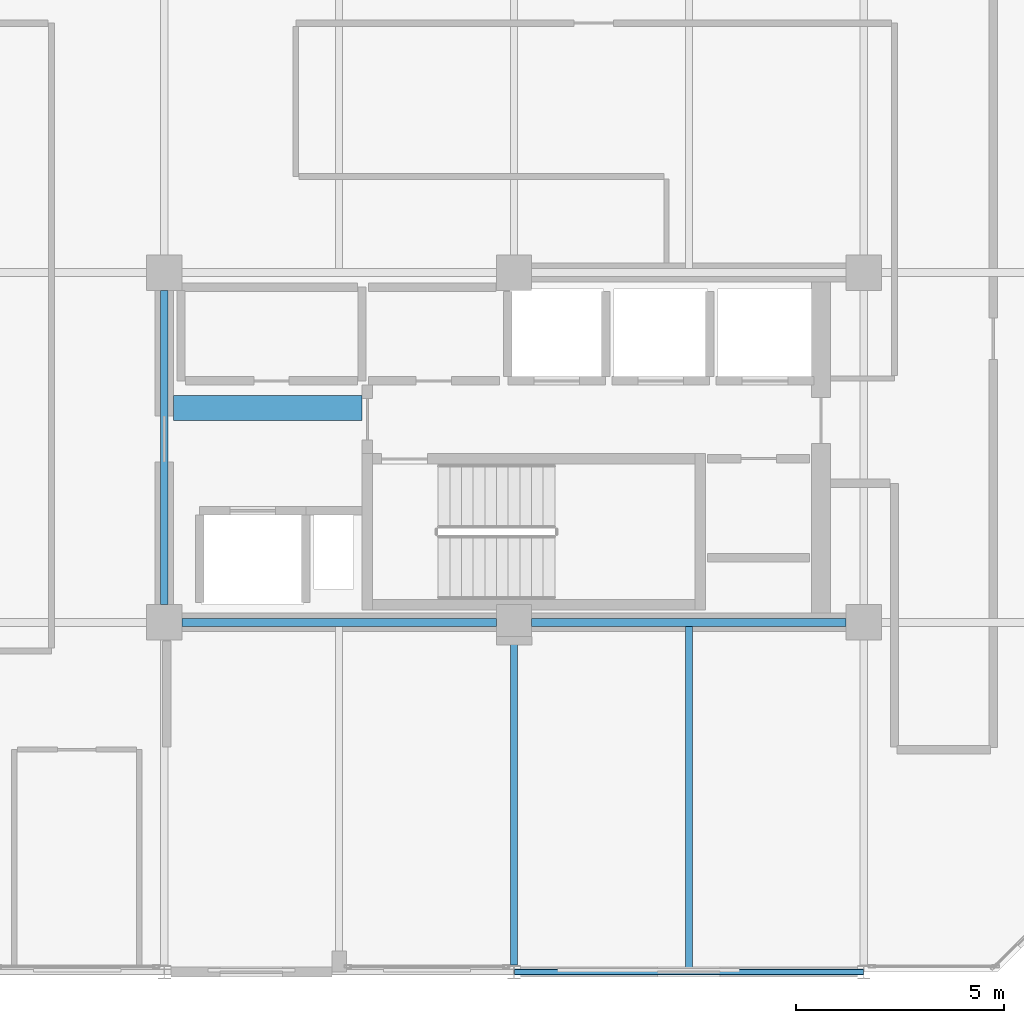
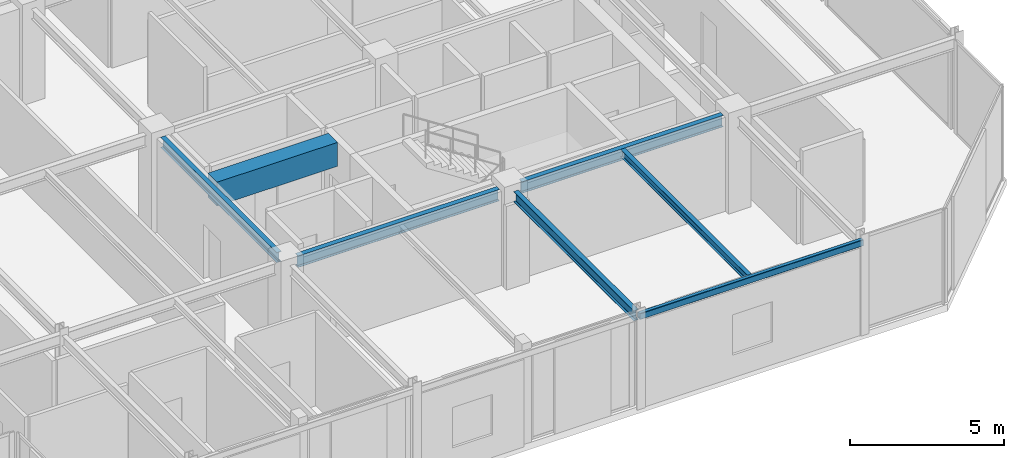
# One storey, part 8 of 26: 7 beams.
"""IFC4 building model written with IfcOpenShell, lengths in metres."""

from ifc_helpers import new_model, si_unit, direction, frame, origin, origin_2d, place, context, subcontext, project, spatial, rectangle, hollow_rectangle, i_section, extrude, material, material_profile, profile_set, type_object, element, save


model = new_model("IFC4")

# Units and contexts
model_context = context("Model", 3, precision=1e-05, world=origin(), true_north=direction((0.0, 1.0)))
body_context = subcontext(model_context, "Body", "Model", "MODEL_VIEW")
ifc_project = project(units=[si_unit("LENGTHUNIT", "METRE"), si_unit("AREAUNIT", "SQUARE_METRE"), si_unit("VOLUMEUNIT", "CUBIC_METRE"), si_unit("PLANEANGLEUNIT", "RADIAN"), si_unit("MASSUNIT", "GRAM", prefix="KILO")], contexts=[model_context])

# Site, building, storey
site_placement = place(None, origin())
site = spatial("IfcSite", under=ifc_project, at=site_placement, CompositionType="ELEMENT")
building_placement = place(site_placement, origin())
building = spatial("IfcBuilding", under=site, at=building_placement, Name="Nerrivon Quay Data Exchange", CompositionType="ELEMENT")
storey_placement = place(building_placement, frame((0.0, 0.0, 274.199951171875)))
storey = spatial("IfcBuildingStorey", under=building, at=storey_placement, Name="L65", CompositionType="ELEMENT", Elevation=274.199951171875)

# Beams
ifc_material_1 = material(Name="Concrete N50 (50 MPa)", Category="concrete")
ifc_material_profile_1 = material_profile(ifc_material_1, rectangle(XDim=0.60009765625, YDim=0.949951171875, at=origin_2d()), Name="RC-CB-600x950")
ifc_profile_set_1 = profile_set([ifc_material_profile_1], Name="Concrete N50 (50 MPa)")
beam_type_1 = type_object("IfcBeamType", Name="BM-CB2-600x950", PredefinedType="LINTEL", material=ifc_profile_set_1)
beam_1_placement = place(storey_placement, frame((17.02490234375, 13.550048828125, 3.25), z_axis=(1.0, 0.0, 0.0), x_axis=(0.0, 1.0, 0.0)))
element("IfcBeam", 1, at=beam_1_placement, inside=storey, type_object=beam_type_1, Name="L65 East Core Coupling Beam", PredefinedType="LINTEL", context=body_context, shape_type="SweptSolid", body=[
    extrude(rectangle(XDim=0.60009765625, YDim=0.949951171875, at=origin_2d()), origin(), (0.0, 0.0, 1.0), 4.530029296875),
])
ifc_material_2 = material(Name="Steel Grade 350", Category="steel")
ifc_material_profile_2 = material_profile(ifc_material_2, i_section(OverallWidth=0.18994140625, OverallDepth=0.4541015625, WebThickness=0.008544921875, FlangeThickness=0.0126953125, FilletRadius=0.011474609375, at=origin_2d()), Name="460UB67.1")
ifc_profile_set_2 = profile_set([ifc_material_profile_2], Name="Steel Grade 350")
beam_type_2 = type_object("IfcBeamType", Name="BM-G6-460UB67", PredefinedType="BEAM", material=ifc_profile_set_2)
beam_2_placement = place(storey_placement, frame((17.22509765625, 8.39990234375, 3.498046875), z_axis=(1.0, 0.0, 0.0), x_axis=(0.0, 1.0, 0.0)))
element("IfcBeam", 2, at=beam_2_placement, inside=storey, type_object=beam_type_2, Name="L65 EW Girder Y=8.4 (16.8..25.2)", PredefinedType="BEAM", context=body_context, shape_type="SweptSolid", body=[
    extrude(i_section(OverallWidth=0.18994140625, OverallDepth=0.4541015625, WebThickness=0.008544921875, FlangeThickness=0.0126953125, FilletRadius=0.011474609375, at=origin_2d()), origin(), (0.0, 0.0, 1.0), 7.5498046875),
])
beam_3_placement = place(storey_placement, frame((25.625, 8.39990234375, 3.498046875), z_axis=(1.0, 0.0, 0.0), x_axis=(0.0, 1.0, 0.0)))
element("IfcBeam", 3, at=beam_3_placement, inside=storey, type_object=beam_type_2, Name="L65 EW Girder Y=8.4 (25.2..33.6)", PredefinedType="BEAM", context=body_context, shape_type="SweptSolid", body=[
    extrude(i_section(OverallWidth=0.18994140625, OverallDepth=0.4541015625, WebThickness=0.008544921875, FlangeThickness=0.0126953125, FilletRadius=0.011474609375, at=origin_2d()), origin(), (0.0, 0.0, 1.0), 7.550048828125),
])
ifc_material_profile_3 = material_profile(ifc_material_2, i_section(OverallWidth=0.177978515625, OverallDepth=0.406005859375, WebThickness=0.0078125, FlangeThickness=0.0126953125, FilletRadius=0.011474609375, at=origin_2d()), Name="410UB59.7")
ifc_profile_set_3 = profile_set([ifc_material_profile_3], Name="Steel Grade 350")
beam_type_3 = type_object("IfcBeamType", Name="BM-J1-410UB60", PredefinedType="JOIST", material=ifc_profile_set_3)
beam_4_placement = place(storey_placement, frame((16.800048828125, 8.824951171875, 3.52197265625), z_axis=(0.0, 1.0, 0.0), x_axis=(-1.0, 0.0, 0.0)))
element("IfcBeam", 4, at=beam_4_placement, inside=storey, type_object=beam_type_3, Name="L65 NS Girder X=16.8 (8.4..16.8)", PredefinedType="JOIST", context=body_context, shape_type="SweptSolid", body=[
    extrude(i_section(OverallWidth=0.177978515625, OverallDepth=0.406005859375, WebThickness=0.0078125, FlangeThickness=0.0126953125, FilletRadius=0.011474609375, at=origin_2d()), origin(), (0.0, 0.0, 1.0), 7.550048828125),
])
beam_5_placement = place(storey_placement, frame((25.199951171875, 0.16357421875, 3.52197265625), z_axis=(0.0, 1.0, 0.0), x_axis=(-1.0, 0.0, 0.0)))
element("IfcBeam", 5, at=beam_5_placement, inside=storey, type_object=beam_type_3, Name="L65 NS Girder X=25.2 (0.0..8.4)", PredefinedType="JOIST", context=body_context, shape_type="SweptSolid", body=[
    extrude(i_section(OverallWidth=0.177978515625, OverallDepth=0.406005859375, WebThickness=0.0078125, FlangeThickness=0.0126953125, FilletRadius=0.011474609375, at=origin_2d()), origin(), (0.0, 0.0, 1.0), 7.8115234375),
])
ifc_material_profile_4 = material_profile(ifc_material_2, i_section(OverallWidth=0.1650390625, OverallDepth=0.303955078125, WebThickness=0.006103515625, FlangeThickness=0.01025390625, FilletRadius=0.011474609375, at=origin_2d()), Name="310UB40.4")
ifc_profile_set_4 = profile_set([ifc_material_profile_4], Name="Steel Grade 350")
beam_type_4 = type_object("IfcBeamType", Name="BM-J6-310UB40", PredefinedType="JOIST", material=ifc_profile_set_4)
beam_6_placement = place(storey_placement, frame((29.39990234375, 0.074951171875, 3.572998046875), z_axis=(0.0, 1.0, 0.0), x_axis=(-1.0, 0.0, 0.0)))
element("IfcBeam", 6, at=beam_6_placement, inside=storey, type_object=beam_type_4, Name="L65 Secondary Joist X=29.4 (0.0..8.4)", PredefinedType="JOIST", context=body_context, shape_type="SweptSolid", body=[
    extrude(i_section(OverallWidth=0.1650390625, OverallDepth=0.303955078125, WebThickness=0.006103515625, FlangeThickness=0.01025390625, FilletRadius=0.011474609375, at=origin_2d()), origin(), (0.0, 0.0, 1.0), 8.22998046875),
])
ifc_material_3 = material(Name="Steel Grade C350L0 (350 MPa)", Category="steel")
ifc_material_profile_5 = material_profile(ifc_material_3, hollow_rectangle(XDim=0.14990234375, YDim=0.25, WallThickness=0.009033203125, InnerFilletRadius=0.013427734375, OuterFilletRadius=0.0224609375, at=origin_2d()), Name="250x150x9.0RHS")
ifc_profile_set_5 = profile_set([ifc_material_profile_5], Name="Steel Grade C350L0 (350 MPa)")
beam_type_5 = type_object("IfcBeamType", Name="BM-SP4-250x150RHS", PredefinedType="SPANDREL", material=ifc_profile_set_5)
beam_7_placement = place(storey_placement, frame((25.2080078125, 0.0, 3.60009765625), z_axis=(1.0, 0.0, 0.0), x_axis=(0.0, 1.0, 0.0)))
element("IfcBeam", 7, at=beam_7_placement, inside=storey, type_object=beam_type_5, Name="L65 EW Girder Y=0.0 (25.2..33.6)", PredefinedType="SPANDREL", context=body_context, shape_type="SweptSolid", body=[
    extrude(hollow_rectangle(XDim=0.14990234375, YDim=0.25, WallThickness=0.009033203125, InnerFilletRadius=0.013427734375, OuterFilletRadius=0.0224609375, at=origin_2d()), origin(), (0.0, 0.0, 1.0), 8.38427734375),
])

save(model, "model.ifc")
